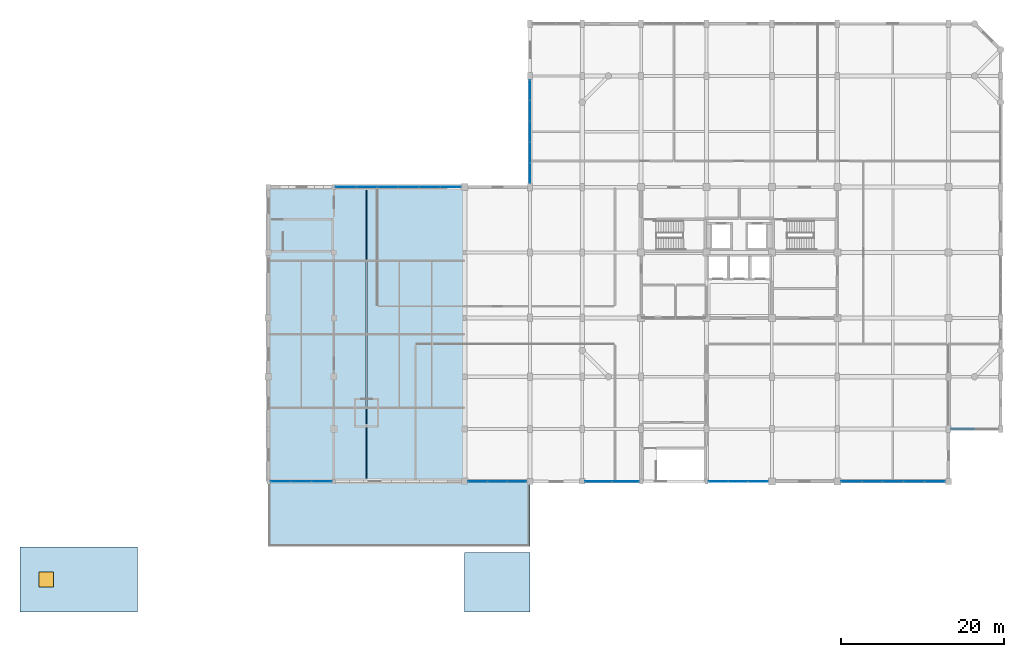
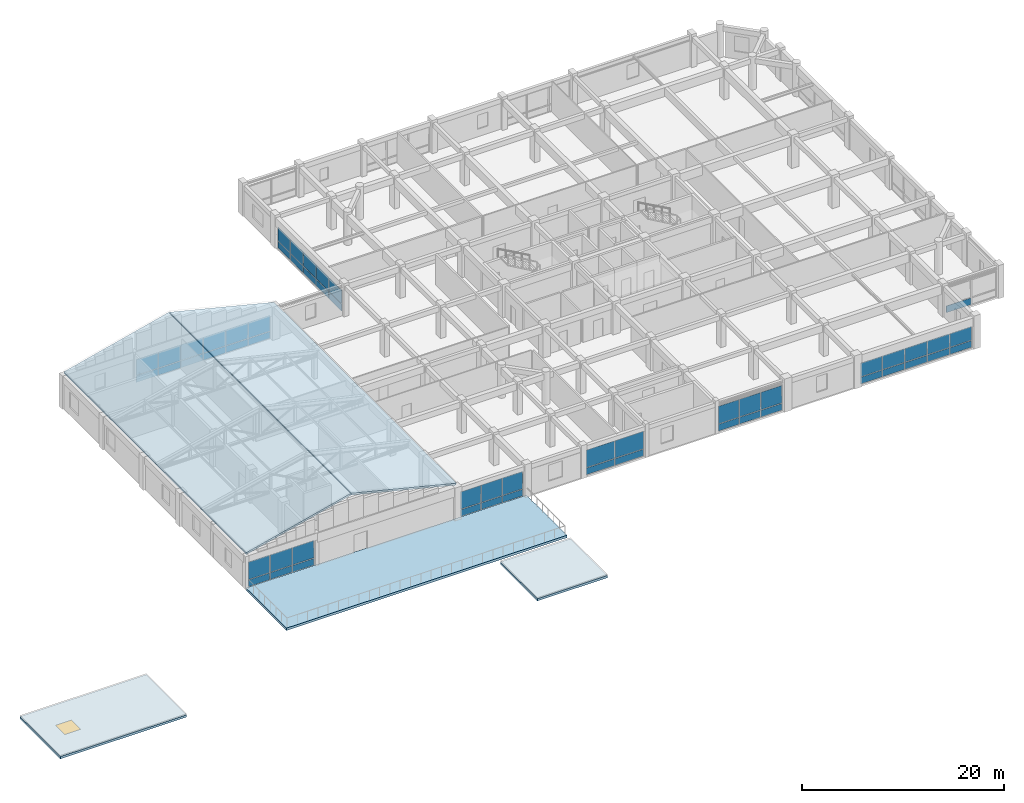
# One storey, part 16 of 27: 55 plates, 5 slabs, 1 window, 1 opening, 8 elements without a shape of their own.
"""IFC4 building model written with IfcOpenShell, lengths in metres."""

from ifc_helpers import new_model, si_unit, direction, frame, origin, origin_2d, place, context, subcontext, project, spatial, polyline, rectangle, outline, extrude, material, layer, layer_set, type_object, element, fill, aggregate, save


model = new_model("IFC4")

# Units and contexts
model_context = context("Model", 3, precision=1e-05, world=origin(), true_north=direction((0.0, 1.0)))
body_context = subcontext(model_context, "Body", "Model", "MODEL_VIEW")
ifc_project = project(units=[si_unit("LENGTHUNIT", "METRE"), si_unit("AREAUNIT", "SQUARE_METRE"), si_unit("VOLUMEUNIT", "CUBIC_METRE"), si_unit("PLANEANGLEUNIT", "RADIAN"), si_unit("MASSUNIT", "GRAM", prefix="KILO")], contexts=[model_context])

# Site, building, storey
site_placement = place(None, origin())
site = spatial("IfcSite", under=ifc_project, at=site_placement, CompositionType="ELEMENT")
building_placement = place(site_placement, origin())
building = spatial("IfcBuilding", under=site, at=building_placement, Name="Vellmiral Cinema and Media Centre", CompositionType="ELEMENT")
storey_placement = place(building_placement, frame((0.0, 0.0, 19.800048828125)))
storey = spatial("IfcBuildingStorey", under=building, at=storey_placement, Name="L04", CompositionType="ELEMENT", Elevation=19.800048828125)

# Curtain wall, plates
ifc_material_1 = material(Name="Thermally Broken Aluminium and Triple Glazing", Category="aluminium")
curtain_wall_type_1 = type_object("IfcCurtainWallType", Name="CW-TOWER-LOW-S", PredefinedType="USERDEFINED", material=ifc_material_1)
curtain_wall_1_placement = place(storey_placement, origin())
curtain_wall_1 = element("IfcCurtainWall", 1, at=curtain_wall_1_placement, inside=storey, type_object=curtain_wall_type_1, Name="Curtain Wall L04-B001", ObjectType="UNITISED CURTAIN WALL", PredefinedType="USERDEFINED")
ifc_material_2 = material(Name="Solar-Control Acoustic Triple Glazing", Category="glass")
ifc_layer_1 = layer(ifc_material_2, 0.0419921875, Name="Solar-Control Acoustic Triple Glazing")
ifc_layer_set_1 = layer_set([ifc_layer_1], Name="Solar-Control Acoustic Triple Glazing")
plate_type_1 = type_object("IfcPlateType", Name="CWP-SOLAR-42", PredefinedType="CURTAIN_PANEL", material=ifc_layer_set_1)
plate_1_placement = place(storey_placement, frame((79.8828125, 59.199951171875, 0.932373046875), z_axis=(0.0, 0.0, 1.0), x_axis=(1.0, 0.0, 0.0)))
plate_1 = element("IfcPlate", 2, at=plate_1_placement, type_object=plate_type_1, Name="CW-06 panel 1.2", PredefinedType="CURTAIN_PANEL", context=body_context, shape_type="SweptSolid", body=[
    extrude(rectangle(XDim=2.435791015625, YDim=0.0419921875, at=origin_2d()), origin(), (0.0, 0.0, 1.0), 2.1025390625),
])
plate_2_placement = place(storey_placement, frame((82.39990234375, 59.199951171875, 0.932373046875), z_axis=(0.0, 0.0, 1.0), x_axis=(1.0, 0.0, 0.0)))
plate_2 = element("IfcPlate", 3, at=plate_2_placement, type_object=plate_type_1, Name="CW-06 panel 2.2", PredefinedType="CURTAIN_PANEL", context=body_context, shape_type="SweptSolid", body=[
    extrude(rectangle(XDim=2.46826171875, YDim=0.0419921875, at=origin_2d()), origin(), (0.0, 0.0, 1.0), 2.1025390625),
])
plate_3_placement = place(storey_placement, frame((84.9169921875, 59.199951171875, 0.932373046875), z_axis=(0.0, 0.0, 1.0), x_axis=(1.0, 0.0, 0.0)))
plate_3 = element("IfcPlate", 4, at=plate_3_placement, type_object=plate_type_1, Name="CW-06 panel 3.2", PredefinedType="CURTAIN_PANEL", context=body_context, shape_type="SweptSolid", body=[
    extrude(rectangle(XDim=2.435791015625, YDim=0.0419921875, at=origin_2d()), origin(), (0.0, 0.0, 1.0), 2.1025390625),
])

curtain_wall_2_placement = place(storey_placement, origin())
curtain_wall_2 = element("IfcCurtainWall", 5, at=curtain_wall_2_placement, inside=storey, type_object=curtain_wall_type_1, Name="Curtain Wall L04-B003", ObjectType="UNITISED CURTAIN WALL", PredefinedType="USERDEFINED")
plate_4_placement = place(storey_placement, frame((104.0205078125, 59.199951171875, 0.9326171875), z_axis=(0.0, 0.0, 1.0), x_axis=(1.0, 0.0, 0.0)))
plate_4 = element("IfcPlate", 6, at=plate_4_placement, type_object=plate_type_1, Name="CW-06 panel 1.2", PredefinedType="CURTAIN_PANEL", context=body_context, shape_type="SweptSolid", body=[
    extrude(rectangle(XDim=2.310791015625, YDim=0.0419921875, at=origin_2d()), origin(), (0.0, 0.0, 1.0), 2.08740234375),
])
plate_5_placement = place(storey_placement, frame((106.41259765625, 59.199951171875, 0.9326171875), z_axis=(0.0, 0.0, 1.0), x_axis=(1.0, 0.0, 0.0)))
plate_5 = element("IfcPlate", 7, at=plate_5_placement, type_object=plate_type_1, Name="CW-06 panel 2.2", PredefinedType="CURTAIN_PANEL", context=body_context, shape_type="SweptSolid", body=[
    extrude(rectangle(XDim=2.34326171875, YDim=0.0419921875, at=origin_2d()), origin(), (0.0, 0.0, 1.0), 2.08740234375),
])
plate_6_placement = place(storey_placement, frame((108.8046875, 59.199951171875, 0.9326171875), z_axis=(0.0, 0.0, 1.0), x_axis=(1.0, 0.0, 0.0)))
plate_6 = element("IfcPlate", 8, at=plate_6_placement, type_object=plate_type_1, Name="CW-06 panel 3.2", PredefinedType="CURTAIN_PANEL", context=body_context, shape_type="SweptSolid", body=[
    extrude(rectangle(XDim=2.310791015625, YDim=0.0419921875, at=origin_2d()), origin(), (0.0, 0.0, 1.0), 2.08740234375),
])

curtain_wall_3_placement = place(storey_placement, origin())
curtain_wall_3 = element("IfcCurtainWall", 9, at=curtain_wall_3_placement, inside=storey, type_object=curtain_wall_type_1, Name="Curtain Wall L04-B005", ObjectType="UNITISED CURTAIN WALL", PredefinedType="USERDEFINED")
plate_7_placement = place(storey_placement, frame((118.81005859375, 59.199951171875, 0.932373046875), z_axis=(0.0, 0.0, 1.0), x_axis=(1.0, 0.0, 0.0)))
plate_7 = element("IfcPlate", 10, at=plate_7_placement, type_object=plate_type_1, Name="CW-06 panel 1.2", PredefinedType="CURTAIN_PANEL", context=body_context, shape_type="SweptSolid", body=[
    extrude(rectangle(XDim=3.239990234375, YDim=0.0419921875, at=origin_2d()), origin(), (0.0, 0.0, 1.0), 2.1025390625),
])
plate_8_placement = place(storey_placement, frame((122.114990234375, 59.199951171875, 0.932373046875), z_axis=(0.0, 0.0, 1.0), x_axis=(1.0, 0.0, 0.0)))
plate_8 = element("IfcPlate", 11, at=plate_8_placement, type_object=plate_type_1, Name="CW-06 panel 2.2", PredefinedType="CURTAIN_PANEL", context=body_context, shape_type="SweptSolid", body=[
    extrude(rectangle(XDim=3.239990234375, YDim=0.0419921875, at=origin_2d()), origin(), (0.0, 0.0, 1.0), 2.1025390625),
])

curtain_wall_4_placement = place(storey_placement, origin())
curtain_wall_4 = element("IfcCurtainWall", 12, at=curtain_wall_4_placement, inside=storey, type_object=curtain_wall_type_1, Name="Curtain Wall L04-B007", ObjectType="UNITISED CURTAIN WALL", PredefinedType="USERDEFINED")
plate_9_placement = place(storey_placement, frame((133.4453125, 59.199951171875, 0.932373046875), z_axis=(0.0, 0.0, 1.0), x_axis=(1.0, 0.0, 0.0)))
plate_9 = element("IfcPlate", 13, at=plate_9_placement, type_object=plate_type_1, Name="CW-06 panel 1.2", PredefinedType="CURTAIN_PANEL", context=body_context, shape_type="SweptSolid", body=[
    extrude(rectangle(XDim=2.36083984375, YDim=0.0419921875, at=origin_2d()), origin(), (0.0, 0.0, 1.0), 2.1025390625),
])
plate_10_placement = place(storey_placement, frame((135.887451171875, 59.199951171875, 0.932373046875), z_axis=(0.0, 0.0, 1.0), x_axis=(1.0, 0.0, 0.0)))
plate_10 = element("IfcPlate", 14, at=plate_10_placement, type_object=plate_type_1, Name="CW-06 panel 2.2", PredefinedType="CURTAIN_PANEL", context=body_context, shape_type="SweptSolid", body=[
    extrude(rectangle(XDim=2.393310546875, YDim=0.0419921875, at=origin_2d()), origin(), (0.0, 0.0, 1.0), 2.1025390625),
])
plate_11_placement = place(storey_placement, frame((138.32958984375, 59.199951171875, 0.932373046875), z_axis=(0.0, 0.0, 1.0), x_axis=(1.0, 0.0, 0.0)))
plate_11 = element("IfcPlate", 15, at=plate_11_placement, type_object=plate_type_1, Name="CW-06 panel 3.2", PredefinedType="CURTAIN_PANEL", context=body_context, shape_type="SweptSolid", body=[
    extrude(rectangle(XDim=2.36083984375, YDim=0.0419921875, at=origin_2d()), origin(), (0.0, 0.0, 1.0), 2.1025390625),
])

curtain_wall_5_placement = place(storey_placement, origin())
curtain_wall_5 = element("IfcCurtainWall", 16, at=curtain_wall_5_placement, inside=storey, type_object=curtain_wall_type_1, Name="Curtain Wall L04-B009", ObjectType="UNITISED CURTAIN WALL", PredefinedType="USERDEFINED")
plate_12_placement = place(storey_placement, frame((149.72119140625, 59.199951171875, 0.9326171875), z_axis=(0.0, 0.0, 1.0), x_axis=(1.0, 0.0, 0.0)))
plate_12 = element("IfcPlate", 17, at=plate_12_placement, type_object=plate_type_1, Name="CW-06 panel 1.2", PredefinedType="CURTAIN_PANEL", context=body_context, shape_type="SweptSolid", body=[
    extrude(rectangle(XDim=2.46240234375, YDim=0.0419921875, at=origin_2d()), origin(), (0.0, 0.0, 1.0), 1.637451171875),
])
plate_13_placement = place(storey_placement, frame((152.264892578125, 59.199951171875, 0.9326171875), z_axis=(0.0, 0.0, 1.0), x_axis=(1.0, 0.0, 0.0)))
plate_13 = element("IfcPlate", 18, at=plate_13_placement, type_object=plate_type_1, Name="CW-06 panel 2.2", PredefinedType="CURTAIN_PANEL", context=body_context, shape_type="SweptSolid", body=[
    extrude(rectangle(XDim=2.4951171875, YDim=0.0419921875, at=origin_2d()), origin(), (0.0, 0.0, 1.0), 1.637451171875),
])
plate_14_placement = place(storey_placement, frame((154.824951171875, 59.199951171875, 0.9326171875), z_axis=(0.0, 0.0, 1.0), x_axis=(1.0, 0.0, 0.0)))
plate_14 = element("IfcPlate", 19, at=plate_14_placement, type_object=plate_type_1, Name="CW-06 panel 3.2", PredefinedType="CURTAIN_PANEL", context=body_context, shape_type="SweptSolid", body=[
    extrude(rectangle(XDim=2.4951171875, YDim=0.0419921875, at=origin_2d()), origin(), (0.0, 0.0, 1.0), 1.637451171875),
])
plate_15_placement = place(storey_placement, frame((157.385009765625, 59.199951171875, 0.9326171875), z_axis=(0.0, 0.0, 1.0), x_axis=(1.0, 0.0, 0.0)))
plate_15 = element("IfcPlate", 20, at=plate_15_placement, type_object=plate_type_1, Name="CW-06 panel 4.2", PredefinedType="CURTAIN_PANEL", context=body_context, shape_type="SweptSolid", body=[
    extrude(rectangle(XDim=2.4951171875, YDim=0.0419921875, at=origin_2d()), origin(), (0.0, 0.0, 1.0), 1.637451171875),
])
plate_16_placement = place(storey_placement, frame((159.9287109375, 59.199951171875, 0.9326171875), z_axis=(0.0, 0.0, 1.0), x_axis=(1.0, 0.0, 0.0)))
plate_16 = element("IfcPlate", 21, at=plate_16_placement, type_object=plate_type_1, Name="CW-06 panel 5.2", PredefinedType="CURTAIN_PANEL", context=body_context, shape_type="SweptSolid", body=[
    extrude(rectangle(XDim=2.46240234375, YDim=0.0419921875, at=origin_2d()), origin(), (0.0, 0.0, 1.0), 1.637451171875),
])

curtain_wall_6_placement = place(storey_placement, origin())
curtain_wall_6 = element("IfcCurtainWall", 22, at=curtain_wall_6_placement, inside=storey, type_object=curtain_wall_type_1, Name="Curtain Wall L04-B031", ObjectType="UNITISED CURTAIN WALL", PredefinedType="USERDEFINED")
plate_17_placement = place(storey_placement, frame((100.677490234375, 95.199951171875, 0.932373046875), z_axis=(0.0, 0.0, 1.0), x_axis=(-1.0, 0.0, 0.0)))
plate_17 = element("IfcPlate", 23, at=plate_17_placement, type_object=plate_type_1, Name="CW-06 panel 1.2", PredefinedType="CURTAIN_PANEL", context=body_context, shape_type="SweptSolid", body=[
    extrude(rectangle(XDim=2.465087890625, YDim=0.0419921875, at=origin_2d()), origin(), (0.0, 0.0, 1.0), 1.892578125),
])
plate_18_placement = place(storey_placement, frame((98.13134765625, 95.199951171875, 0.932373046875), z_axis=(0.0, 0.0, 1.0), x_axis=(-1.0, 0.0, 0.0)))
plate_18 = element("IfcPlate", 24, at=plate_18_placement, type_object=plate_type_1, Name="CW-06 panel 2.2", PredefinedType="CURTAIN_PANEL", context=body_context, shape_type="SweptSolid", body=[
    extrude(rectangle(XDim=2.49755859375, YDim=0.0419921875, at=origin_2d()), origin(), (0.0, 0.0, 1.0), 1.892578125),
])
plate_19_placement = place(storey_placement, frame((95.56884765625, 95.199951171875, 0.932373046875), z_axis=(0.0, 0.0, 1.0), x_axis=(-1.0, 0.0, 0.0)))
plate_19 = element("IfcPlate", 25, at=plate_19_placement, type_object=plate_type_1, Name="CW-06 panel 3.2", PredefinedType="CURTAIN_PANEL", context=body_context, shape_type="SweptSolid", body=[
    extrude(rectangle(XDim=2.49755859375, YDim=0.0419921875, at=origin_2d()), origin(), (0.0, 0.0, 1.0), 1.892578125),
])
plate_20_placement = place(storey_placement, frame((93.00634765625, 95.199951171875, 0.932373046875), z_axis=(0.0, 0.0, 1.0), x_axis=(-1.0, 0.0, 0.0)))
plate_20 = element("IfcPlate", 26, at=plate_20_placement, type_object=plate_type_1, Name="CW-06 panel 4.2", PredefinedType="CURTAIN_PANEL", context=body_context, shape_type="SweptSolid", body=[
    extrude(rectangle(XDim=2.49755859375, YDim=0.0419921875, at=origin_2d()), origin(), (0.0, 0.0, 1.0), 1.892578125),
])
plate_21_placement = place(storey_placement, frame((90.44384765625, 95.199951171875, 0.932373046875), z_axis=(0.0, 0.0, 1.0), x_axis=(-1.0, 0.0, 0.0)))
plate_21 = element("IfcPlate", 27, at=plate_21_placement, type_object=plate_type_1, Name="CW-06 panel 5.2", PredefinedType="CURTAIN_PANEL", context=body_context, shape_type="SweptSolid", body=[
    extrude(rectangle(XDim=2.49755859375, YDim=0.0419921875, at=origin_2d()), origin(), (0.0, 0.0, 1.0), 1.892578125),
])
plate_22_placement = place(storey_placement, frame((87.8974609375, 95.199951171875, 0.932373046875), z_axis=(0.0, 0.0, 1.0), x_axis=(-1.0, 0.0, 0.0)))
plate_22 = element("IfcPlate", 28, at=plate_22_placement, type_object=plate_type_1, Name="CW-06 panel 6.2", PredefinedType="CURTAIN_PANEL", context=body_context, shape_type="SweptSolid", body=[
    extrude(rectangle(XDim=2.465087890625, YDim=0.0419921875, at=origin_2d()), origin(), (0.0, 0.0, 1.0), 1.892578125),
])

# Plate
ifc_material_3 = material(Name="Polychrome Trencadis Ceramic Spandrel Panel", Category="ceramic")
ifc_layer_2 = layer(ifc_material_3, 0.052001953125, Name="Polychrome Trencadis Ceramic Spandrel Panel")
ifc_layer_set_2 = layer_set([ifc_layer_2], Name="Polychrome Trencadis Ceramic Spandrel Panel")
plate_type_2 = type_object("IfcPlateType", Name="CWP-TRENC-52", PredefinedType="CURTAIN_PANEL", material=ifc_layer_set_2)
plate_23_placement = place(storey_placement, frame((79.8828125, 59.199951171875, 0.06494140625), z_axis=(0.0, 0.0, 1.0), x_axis=(1.0, 0.0, 0.0)))
plate_23 = element("IfcPlate", 29, at=plate_23_placement, type_object=plate_type_2, Name="CW-06 panel 1.1", PredefinedType="CURTAIN_PANEL", context=body_context, shape_type="SweptSolid", body=[
    extrude(rectangle(XDim=2.435791015625, YDim=0.052001953125, at=origin_2d()), origin(), (0.0, 0.0, 1.0), 0.802490234375),
])

plate_24_placement = place(storey_placement, frame((82.39990234375, 59.199951171875, 0.06494140625), z_axis=(0.0, 0.0, 1.0), x_axis=(1.0, 0.0, 0.0)))
plate_24 = element("IfcPlate", 30, at=plate_24_placement, type_object=plate_type_2, Name="CW-06 panel 2.1", PredefinedType="CURTAIN_PANEL", context=body_context, shape_type="SweptSolid", body=[
    extrude(rectangle(XDim=2.46826171875, YDim=0.052001953125, at=origin_2d()), origin(), (0.0, 0.0, 1.0), 0.802490234375),
])

plate_25_placement = place(storey_placement, frame((84.9169921875, 59.199951171875, 0.06494140625), z_axis=(0.0, 0.0, 1.0), x_axis=(1.0, 0.0, 0.0)))
plate_25 = element("IfcPlate", 31, at=plate_25_placement, type_object=plate_type_2, Name="CW-06 panel 3.1", PredefinedType="CURTAIN_PANEL", context=body_context, shape_type="SweptSolid", body=[
    extrude(rectangle(XDim=2.435791015625, YDim=0.052001953125, at=origin_2d()), origin(), (0.0, 0.0, 1.0), 0.802490234375),
])

aggregate(curtain_wall_1, [plate_23, plate_1, plate_24, plate_2, plate_25, plate_3])

plate_26_placement = place(storey_placement, frame((104.0205078125, 59.199951171875, 0.06494140625), z_axis=(0.0, 0.0, 1.0), x_axis=(1.0, 0.0, 0.0)))
plate_26 = element("IfcPlate", 32, at=plate_26_placement, type_object=plate_type_2, Name="CW-06 panel 1.1", PredefinedType="CURTAIN_PANEL", context=body_context, shape_type="SweptSolid", body=[
    extrude(rectangle(XDim=2.310791015625, YDim=0.052001953125, at=origin_2d()), origin(), (0.0, 0.0, 1.0), 0.802490234375),
])

plate_27_placement = place(storey_placement, frame((106.41259765625, 59.199951171875, 0.06494140625), z_axis=(0.0, 0.0, 1.0), x_axis=(1.0, 0.0, 0.0)))
plate_27 = element("IfcPlate", 33, at=plate_27_placement, type_object=plate_type_2, Name="CW-06 panel 2.1", PredefinedType="CURTAIN_PANEL", context=body_context, shape_type="SweptSolid", body=[
    extrude(rectangle(XDim=2.34326171875, YDim=0.052001953125, at=origin_2d()), origin(), (0.0, 0.0, 1.0), 0.802490234375),
])

plate_28_placement = place(storey_placement, frame((108.8046875, 59.199951171875, 0.06494140625), z_axis=(0.0, 0.0, 1.0), x_axis=(1.0, 0.0, 0.0)))
plate_28 = element("IfcPlate", 34, at=plate_28_placement, type_object=plate_type_2, Name="CW-06 panel 3.1", PredefinedType="CURTAIN_PANEL", context=body_context, shape_type="SweptSolid", body=[
    extrude(rectangle(XDim=2.310791015625, YDim=0.052001953125, at=origin_2d()), origin(), (0.0, 0.0, 1.0), 0.802490234375),
])

aggregate(curtain_wall_2, [plate_26, plate_4, plate_27, plate_5, plate_28, plate_6])

plate_29_placement = place(storey_placement, frame((118.81005859375, 59.199951171875, 0.06494140625), z_axis=(0.0, 0.0, 1.0), x_axis=(1.0, 0.0, 0.0)))
plate_29 = element("IfcPlate", 35, at=plate_29_placement, type_object=plate_type_2, Name="CW-06 panel 1.1", PredefinedType="CURTAIN_PANEL", context=body_context, shape_type="SweptSolid", body=[
    extrude(rectangle(XDim=3.239990234375, YDim=0.052001953125, at=origin_2d()), origin(), (0.0, 0.0, 1.0), 0.802490234375),
])

plate_30_placement = place(storey_placement, frame((122.114990234375, 59.199951171875, 0.06494140625), z_axis=(0.0, 0.0, 1.0), x_axis=(1.0, 0.0, 0.0)))
plate_30 = element("IfcPlate", 36, at=plate_30_placement, type_object=plate_type_2, Name="CW-06 panel 2.1", PredefinedType="CURTAIN_PANEL", context=body_context, shape_type="SweptSolid", body=[
    extrude(rectangle(XDim=3.239990234375, YDim=0.052001953125, at=origin_2d()), origin(), (0.0, 0.0, 1.0), 0.802490234375),
])

aggregate(curtain_wall_3, [plate_29, plate_7, plate_30, plate_8])

plate_31_placement = place(storey_placement, frame((133.4453125, 59.199951171875, 0.06494140625), z_axis=(0.0, 0.0, 1.0), x_axis=(1.0, 0.0, 0.0)))
plate_31 = element("IfcPlate", 37, at=plate_31_placement, type_object=plate_type_2, Name="CW-06 panel 1.1", PredefinedType="CURTAIN_PANEL", context=body_context, shape_type="SweptSolid", body=[
    extrude(rectangle(XDim=2.36083984375, YDim=0.052001953125, at=origin_2d()), origin(), (0.0, 0.0, 1.0), 0.802490234375),
])

plate_32_placement = place(storey_placement, frame((135.887451171875, 59.199951171875, 0.06494140625), z_axis=(0.0, 0.0, 1.0), x_axis=(1.0, 0.0, 0.0)))
plate_32 = element("IfcPlate", 38, at=plate_32_placement, type_object=plate_type_2, Name="CW-06 panel 2.1", PredefinedType="CURTAIN_PANEL", context=body_context, shape_type="SweptSolid", body=[
    extrude(rectangle(XDim=2.393310546875, YDim=0.052001953125, at=origin_2d()), origin(), (0.0, 0.0, 1.0), 0.802490234375),
])

plate_33_placement = place(storey_placement, frame((138.32958984375, 59.199951171875, 0.06494140625), z_axis=(0.0, 0.0, 1.0), x_axis=(1.0, 0.0, 0.0)))
plate_33 = element("IfcPlate", 39, at=plate_33_placement, type_object=plate_type_2, Name="CW-06 panel 3.1", PredefinedType="CURTAIN_PANEL", context=body_context, shape_type="SweptSolid", body=[
    extrude(rectangle(XDim=2.36083984375, YDim=0.052001953125, at=origin_2d()), origin(), (0.0, 0.0, 1.0), 0.802490234375),
])

aggregate(curtain_wall_4, [plate_31, plate_9, plate_32, plate_10, plate_33, plate_11])

plate_34_placement = place(storey_placement, frame((149.72119140625, 59.199951171875, 0.06494140625), z_axis=(0.0, 0.0, 1.0), x_axis=(1.0, 0.0, 0.0)))
plate_34 = element("IfcPlate", 40, at=plate_34_placement, type_object=plate_type_2, Name="CW-06 panel 1.1", PredefinedType="CURTAIN_PANEL", context=body_context, shape_type="SweptSolid", body=[
    extrude(rectangle(XDim=2.46240234375, YDim=0.052001953125, at=origin_2d()), origin(), (0.0, 0.0, 1.0), 0.802490234375),
])

plate_35_placement = place(storey_placement, frame((152.264892578125, 59.199951171875, 0.06494140625), z_axis=(0.0, 0.0, 1.0), x_axis=(1.0, 0.0, 0.0)))
plate_35 = element("IfcPlate", 41, at=plate_35_placement, type_object=plate_type_2, Name="CW-06 panel 2.1", PredefinedType="CURTAIN_PANEL", context=body_context, shape_type="SweptSolid", body=[
    extrude(rectangle(XDim=2.4951171875, YDim=0.052001953125, at=origin_2d()), origin(), (0.0, 0.0, 1.0), 0.802490234375),
])

plate_36_placement = place(storey_placement, frame((154.824951171875, 59.199951171875, 0.06494140625), z_axis=(0.0, 0.0, 1.0), x_axis=(1.0, 0.0, 0.0)))
plate_36 = element("IfcPlate", 42, at=plate_36_placement, type_object=plate_type_2, Name="CW-06 panel 3.1", PredefinedType="CURTAIN_PANEL", context=body_context, shape_type="SweptSolid", body=[
    extrude(rectangle(XDim=2.4951171875, YDim=0.052001953125, at=origin_2d()), origin(), (0.0, 0.0, 1.0), 0.802490234375),
])

plate_37_placement = place(storey_placement, frame((157.385009765625, 59.199951171875, 0.06494140625), z_axis=(0.0, 0.0, 1.0), x_axis=(1.0, 0.0, 0.0)))
plate_37 = element("IfcPlate", 43, at=plate_37_placement, type_object=plate_type_2, Name="CW-06 panel 4.1", PredefinedType="CURTAIN_PANEL", context=body_context, shape_type="SweptSolid", body=[
    extrude(rectangle(XDim=2.4951171875, YDim=0.052001953125, at=origin_2d()), origin(), (0.0, 0.0, 1.0), 0.802490234375),
])

plate_38_placement = place(storey_placement, frame((159.9287109375, 59.199951171875, 0.06494140625), z_axis=(0.0, 0.0, 1.0), x_axis=(1.0, 0.0, 0.0)))
plate_38 = element("IfcPlate", 44, at=plate_38_placement, type_object=plate_type_2, Name="CW-06 panel 5.1", PredefinedType="CURTAIN_PANEL", context=body_context, shape_type="SweptSolid", body=[
    extrude(rectangle(XDim=2.46240234375, YDim=0.052001953125, at=origin_2d()), origin(), (0.0, 0.0, 1.0), 0.802490234375),
])

aggregate(curtain_wall_5, [plate_34, plate_12, plate_35, plate_13, plate_36, plate_14, plate_37, plate_15, plate_38, plate_16])

# Curtain wall, plate
curtain_wall_7_placement = place(storey_placement, origin())
curtain_wall_7 = element("IfcCurtainWall", 45, at=curtain_wall_7_placement, inside=storey, type_object=curtain_wall_type_1, Name="Curtain Wall L04-B011", ObjectType="UNITISED CURTAIN WALL", PredefinedType="USERDEFINED")
plate_39_placement = place(storey_placement, frame((163.3662109375, 65.60009765625, 0.06494140625), z_axis=(0.0, 0.0, 1.0), x_axis=(1.0, 0.0, 0.0)))
plate_39 = element("IfcPlate", 46, at=plate_39_placement, type_object=plate_type_2, Name="CW-06 panel 1.1", PredefinedType="CURTAIN_PANEL", context=body_context, shape_type="SweptSolid", body=[
    extrude(rectangle(XDim=2.802490234375, YDim=0.052001953125, at=origin_2d()), origin(), (0.0, 0.0, 1.0), 0.802490234375),
])
aggregate(curtain_wall_7, [plate_39])

# Curtain wall, plates
ifc_material_4 = material(Name="Thermally Broken Aluminium and Triple Glazing", Category="aluminium")
curtain_wall_type_2 = type_object("IfcCurtainWallType", Name="CW-TOWER-LOW-N", PredefinedType="USERDEFINED", material=ifc_material_4)
curtain_wall_8_placement = place(storey_placement, origin())
curtain_wall_8 = element("IfcCurtainWall", 47, at=curtain_wall_8_placement, inside=storey, type_object=curtain_wall_type_2, Name="Curtain Wall L04-B029", ObjectType="UNITISED CURTAIN WALL", PredefinedType="USERDEFINED")
plate_40_placement = place(storey_placement, frame((110.39990234375, 107.063720703125, 0.06494140625), z_axis=(0.0, 0.0, 1.0), x_axis=(0.0, -1.0, 0.0)))
plate_40 = element("IfcPlate", 48, at=plate_40_placement, type_object=plate_type_2, Name="CW-05 panel 1.1", PredefinedType="CURTAIN_PANEL", context=body_context, shape_type="SweptSolid", body=[
    extrude(rectangle(XDim=2.4423828125, YDim=0.052001953125, at=origin_2d()), origin(), (0.0, 0.0, 1.0), 0.802490234375),
])
plate_41_placement = place(storey_placement, frame((110.39990234375, 104.5400390625, 0.06494140625), z_axis=(0.0, 0.0, 1.0), x_axis=(0.0, -1.0, 0.0)))
plate_41 = element("IfcPlate", 49, at=plate_41_placement, type_object=plate_type_2, Name="CW-05 panel 2.1", PredefinedType="CURTAIN_PANEL", context=body_context, shape_type="SweptSolid", body=[
    extrude(rectangle(XDim=2.47509765625, YDim=0.052001953125, at=origin_2d()), origin(), (0.0, 0.0, 1.0), 0.802490234375),
])
plate_42_placement = place(storey_placement, frame((110.39990234375, 102.0, 0.06494140625), z_axis=(0.0, 0.0, 1.0), x_axis=(0.0, -1.0, 0.0)))
plate_42 = element("IfcPlate", 50, at=plate_42_placement, type_object=plate_type_2, Name="CW-05 panel 3.1", PredefinedType="CURTAIN_PANEL", context=body_context, shape_type="SweptSolid", body=[
    extrude(rectangle(XDim=2.47509765625, YDim=0.052001953125, at=origin_2d()), origin(), (0.0, 0.0, 1.0), 0.802490234375),
])
plate_43_placement = place(storey_placement, frame((110.39990234375, 99.4599609375, 0.06494140625), z_axis=(0.0, 0.0, 1.0), x_axis=(0.0, -1.0, 0.0)))
plate_43 = element("IfcPlate", 51, at=plate_43_placement, type_object=plate_type_2, Name="CW-05 panel 4.1", PredefinedType="CURTAIN_PANEL", context=body_context, shape_type="SweptSolid", body=[
    extrude(rectangle(XDim=2.47509765625, YDim=0.052001953125, at=origin_2d()), origin(), (0.0, 0.0, 1.0), 0.802490234375),
])
plate_44_placement = place(storey_placement, frame((110.39990234375, 96.936279296875, 0.06494140625), z_axis=(0.0, 0.0, 1.0), x_axis=(0.0, -1.0, 0.0)))
plate_44 = element("IfcPlate", 52, at=plate_44_placement, type_object=plate_type_2, Name="CW-05 panel 5.1", PredefinedType="CURTAIN_PANEL", context=body_context, shape_type="SweptSolid", body=[
    extrude(rectangle(XDim=2.4423828125, YDim=0.052001953125, at=origin_2d()), origin(), (0.0, 0.0, 1.0), 0.802490234375),
])

# Plate
plate_45_placement = place(storey_placement, frame((100.677490234375, 95.199951171875, 0.06494140625), z_axis=(0.0, 0.0, 1.0), x_axis=(-1.0, 0.0, 0.0)))
plate_45 = element("IfcPlate", 53, at=plate_45_placement, type_object=plate_type_2, Name="CW-06 panel 1.1", PredefinedType="CURTAIN_PANEL", context=body_context, shape_type="SweptSolid", body=[
    extrude(rectangle(XDim=2.465087890625, YDim=0.052001953125, at=origin_2d()), origin(), (0.0, 0.0, 1.0), 0.802490234375),
])

plate_46_placement = place(storey_placement, frame((98.13134765625, 95.199951171875, 0.06494140625), z_axis=(0.0, 0.0, 1.0), x_axis=(-1.0, 0.0, 0.0)))
plate_46 = element("IfcPlate", 54, at=plate_46_placement, type_object=plate_type_2, Name="CW-06 panel 2.1", PredefinedType="CURTAIN_PANEL", context=body_context, shape_type="SweptSolid", body=[
    extrude(rectangle(XDim=2.49755859375, YDim=0.052001953125, at=origin_2d()), origin(), (0.0, 0.0, 1.0), 0.802490234375),
])

plate_47_placement = place(storey_placement, frame((95.56884765625, 95.199951171875, 0.06494140625), z_axis=(0.0, 0.0, 1.0), x_axis=(-1.0, 0.0, 0.0)))
plate_47 = element("IfcPlate", 55, at=plate_47_placement, type_object=plate_type_2, Name="CW-06 panel 3.1", PredefinedType="CURTAIN_PANEL", context=body_context, shape_type="SweptSolid", body=[
    extrude(rectangle(XDim=2.49755859375, YDim=0.052001953125, at=origin_2d()), origin(), (0.0, 0.0, 1.0), 0.802490234375),
])

plate_48_placement = place(storey_placement, frame((93.00634765625, 95.199951171875, 0.06494140625), z_axis=(0.0, 0.0, 1.0), x_axis=(-1.0, 0.0, 0.0)))
plate_48 = element("IfcPlate", 56, at=plate_48_placement, type_object=plate_type_2, Name="CW-06 panel 4.1", PredefinedType="CURTAIN_PANEL", context=body_context, shape_type="SweptSolid", body=[
    extrude(rectangle(XDim=2.49755859375, YDim=0.052001953125, at=origin_2d()), origin(), (0.0, 0.0, 1.0), 0.802490234375),
])

plate_49_placement = place(storey_placement, frame((90.44384765625, 95.199951171875, 0.06494140625), z_axis=(0.0, 0.0, 1.0), x_axis=(-1.0, 0.0, 0.0)))
plate_49 = element("IfcPlate", 57, at=plate_49_placement, type_object=plate_type_2, Name="CW-06 panel 5.1", PredefinedType="CURTAIN_PANEL", context=body_context, shape_type="SweptSolid", body=[
    extrude(rectangle(XDim=2.49755859375, YDim=0.052001953125, at=origin_2d()), origin(), (0.0, 0.0, 1.0), 0.802490234375),
])

plate_50_placement = place(storey_placement, frame((87.8974609375, 95.199951171875, 0.06494140625), z_axis=(0.0, 0.0, 1.0), x_axis=(-1.0, 0.0, 0.0)))
plate_50 = element("IfcPlate", 58, at=plate_50_placement, type_object=plate_type_2, Name="CW-06 panel 6.1", PredefinedType="CURTAIN_PANEL", context=body_context, shape_type="SweptSolid", body=[
    extrude(rectangle(XDim=2.465087890625, YDim=0.052001953125, at=origin_2d()), origin(), (0.0, 0.0, 1.0), 0.802490234375),
])

aggregate(curtain_wall_6, [plate_45, plate_17, plate_46, plate_18, plate_47, plate_19, plate_48, plate_20, plate_49, plate_21, plate_50, plate_22])

ifc_material_5 = material(Name="Triple Low-E Vision Glazing", Category="glass")
ifc_layer_3 = layer(ifc_material_5, 0.0380859375, Name="Triple Low-E Vision Glazing")
ifc_layer_set_3 = layer_set([ifc_layer_3], Name="Triple Low-E Vision Glazing")
plate_type_3 = type_object("IfcPlateType", Name="CWP-VISION-38", PredefinedType="CURTAIN_PANEL", material=ifc_layer_set_3)
plate_51_placement = place(storey_placement, frame((110.39990234375, 107.063720703125, 0.9326171875), z_axis=(0.0, 0.0, 1.0), x_axis=(0.0, -1.0, 0.0)))
plate_51 = element("IfcPlate", 59, at=plate_51_placement, type_object=plate_type_3, Name="CW-05 panel 1.2", PredefinedType="CURTAIN_PANEL", context=body_context, shape_type="SweptSolid", body=[
    extrude(rectangle(XDim=2.4423828125, YDim=0.0380859375, at=origin_2d()), origin(), (0.0, 0.0, 1.0), 1.637451171875),
])

plate_52_placement = place(storey_placement, frame((110.39990234375, 104.5400390625, 0.9326171875), z_axis=(0.0, 0.0, 1.0), x_axis=(0.0, -1.0, 0.0)))
plate_52 = element("IfcPlate", 60, at=plate_52_placement, type_object=plate_type_3, Name="CW-05 panel 2.2", PredefinedType="CURTAIN_PANEL", context=body_context, shape_type="SweptSolid", body=[
    extrude(rectangle(XDim=2.47509765625, YDim=0.0380859375, at=origin_2d()), origin(), (0.0, 0.0, 1.0), 1.637451171875),
])

plate_53_placement = place(storey_placement, frame((110.39990234375, 102.0, 0.9326171875), z_axis=(0.0, 0.0, 1.0), x_axis=(0.0, -1.0, 0.0)))
plate_53 = element("IfcPlate", 61, at=plate_53_placement, type_object=plate_type_3, Name="CW-05 panel 3.2", PredefinedType="CURTAIN_PANEL", context=body_context, shape_type="SweptSolid", body=[
    extrude(rectangle(XDim=2.47509765625, YDim=0.0380859375, at=origin_2d()), origin(), (0.0, 0.0, 1.0), 1.637451171875),
])

plate_54_placement = place(storey_placement, frame((110.39990234375, 99.4599609375, 0.9326171875), z_axis=(0.0, 0.0, 1.0), x_axis=(0.0, -1.0, 0.0)))
plate_54 = element("IfcPlate", 62, at=plate_54_placement, type_object=plate_type_3, Name="CW-05 panel 4.2", PredefinedType="CURTAIN_PANEL", context=body_context, shape_type="SweptSolid", body=[
    extrude(rectangle(XDim=2.47509765625, YDim=0.0380859375, at=origin_2d()), origin(), (0.0, 0.0, 1.0), 1.637451171875),
])

plate_55_placement = place(storey_placement, frame((110.39990234375, 96.936279296875, 0.9326171875), z_axis=(0.0, 0.0, 1.0), x_axis=(0.0, -1.0, 0.0)))
plate_55 = element("IfcPlate", 63, at=plate_55_placement, type_object=plate_type_3, Name="CW-05 panel 5.2", PredefinedType="CURTAIN_PANEL", context=body_context, shape_type="SweptSolid", body=[
    extrude(rectangle(XDim=2.4423828125, YDim=0.0380859375, at=origin_2d()), origin(), (0.0, 0.0, 1.0), 1.637451171875),
])

aggregate(curtain_wall_8, [plate_40, plate_51, plate_41, plate_52, plate_42, plate_53, plate_43, plate_54, plate_44, plate_55])

# Slabs
ifc_material_6 = material(Name="Concrete C40/50", Category="concrete")
ifc_layer_4 = layer(ifc_material_6, 0.219970703125, Name="Concrete C40/50")
ifc_layer_set_4 = layer_set([ifc_layer_4], Name="Concrete C40/50")
slab_type_1 = type_object("IfcSlabType", Name="SLB-ROOF-220", PredefinedType="ROOF", material=ifc_layer_set_4)
slab_1_placement = place(storey_placement, frame((78.39990234375, 59.199951171875, 4.2265625), z_axis=(-0.241929649535, 0.0, 0.97029379297), x_axis=(0.97029379297, 0.0, 0.241929649535)))
element("IfcSlab", 64, at=slab_1_placement, inside=storey, type_object=slab_type_1, Name="Stepped Broadcast Bridge Barrel Vault Structural Roof Slab A", PredefinedType="ROOF", context=body_context, shape_type="SweptSolid", body=[
    extrude(outline(polyline([(0.0, 0.0), (12.324613617436892, 0.0), (12.324613617436892, 36.0), (0.0, 36.0), (0.0, 0.0)])), origin(), (0.0, 0.0, -1.0), 0.219970703125),
])
slab_2_placement = place(storey_placement, frame((90.441650390625, 59.199951171875, 7.208251953125), z_axis=(0.241934299688, 0.0, 0.970292633505), x_axis=(0.970292633505, 0.0, -0.241934299688)))
element("IfcSlab", 65, at=slab_2_placement, inside=storey, type_object=slab_type_1, Name="Stepped Broadcast Bridge Barrel Vault Structural Roof Slab B", PredefinedType="ROOF", context=body_context, shape_type="SweptSolid", body=[
    extrude(outline(polyline([(0.0, 0.0), (12.324376729445378, 0.0), (12.324376729445378, 36.0), (0.0, 36.0), (0.0, 0.0)])), origin(), (0.0, 0.0, -1.0), 0.219970703125),
])

# Slab, opening, window
ifc_material_7 = material(Name="Concrete C40/50", Category="concrete")
ifc_layer_5 = layer(ifc_material_7, 0.27001953125, Name="Concrete C40/50")
ifc_layer_set_5 = layer_set([ifc_layer_5], Name="Concrete C40/50")
slab_type_2 = type_object("IfcSlabType", Name="SLB-ROOF-270", PredefinedType="ROOF", material=ifc_layer_set_5)
slab_3_placement = place(storey_placement, frame((0.0, 0.0, -0.27001953125)))
slab_3 = element("IfcSlab", 66, at=slab_3_placement, inside=storey, type_object=slab_type_2, Name="Setback Maintenance Roof Slab SB04-STP3", PredefinedType="ROOF", context=body_context, shape_type="SweptSolid", body=[
    extrude(outline(polyline([(48.0, 43.199951171875), (62.39990234375, 43.199951171875), (62.39990234375, 51.179931640625), (48.0, 51.179931640625), (48.0, 43.199951171875)])), origin(), (0.0, 0.0, 1.0), 0.27001953125),
])
opening_placement = place(slab_3_placement, frame((51.199951171875, 47.199951171875, -0.011962890625)))
opening = element("IfcOpeningElement", 67, at=opening_placement, cuts=slab_3, Name="Opening SK-04", PredefinedType="OPENING", context=body_context, shape_type="SweptSolid", body=[
    extrude(rectangle(XDim=1.800048828125, YDim=1.800048828125, at=origin_2d()), origin(), (0.0, 0.0, 1.0), 0.2939453125),
])
ifc_material_8 = material(Name="Triple Insulating Stained-Glass Skylight", Category="glass")
window_type = type_object("IfcWindowType", Name="SKY-1800x1800", PartitioningType="SINGLE_PANEL", PredefinedType="SKYLIGHT", material=ifc_material_8)
window_placement = place(opening_placement, frame((0.0, 0.0, 0.23193359375)))
window = element("IfcWindow", 68, at=window_placement, inside=storey, type_object=window_type, Name="Stained-Glass Roof Skylight 01", OverallHeight=1.800048828125, OverallWidth=1.800048828125, PartitioningType="SINGLE_PANEL", PredefinedType="SKYLIGHT", context=body_context, shape_type="SweptSolid", body=[
    extrude(rectangle(XDim=1.800048828125, YDim=1.800048828125, at=origin_2d()), origin(), (0.0, 0.0, 1.0), 0.050048828125),
])
fill(opening, window)

# Slabs
slab_4_placement = place(storey_placement, frame((0.0, 0.0, -0.27001953125)))
element("IfcSlab", 69, at=slab_4_placement, inside=storey, type_object=slab_type_2, Name="Setback Maintenance Roof Slab SB04-STP4", PredefinedType="ROOF", context=body_context, shape_type="SweptSolid", body=[
    extrude(outline(polyline([(102.39990234375, 43.199951171875), (110.39990234375, 43.199951171875), (110.39990234375, 50.5), (102.39990234375, 50.5), (102.39990234375, 43.199951171875)])), origin(), (0.0, 0.0, 1.0), 0.27001953125),
])
ifc_material_9 = material(Name="Concrete C40/50", Category="concrete")
ifc_layer_6 = layer(ifc_material_9, 0.2900390625, Name="Concrete C40/50")
ifc_layer_set_6 = layer_set([ifc_layer_6], Name="Concrete C40/50")
slab_type_3 = type_object("IfcSlabType", Name="SLB-TERR-290", PredefinedType="FLOOR", material=ifc_layer_set_6)
slab_5_placement = place(storey_placement, frame((0.0, 0.0, -0.2900390625)))
element("IfcSlab", 70, at=slab_5_placement, inside=storey, type_object=slab_type_3, Name="Media Bridge Courtyard Terrace", PredefinedType="FLOOR", context=body_context, shape_type="SweptSolid", body=[
    extrude(outline(polyline([(78.39990234375, 51.199951171875), (110.39990234375, 51.199951171875), (110.39990234375, 59.199951171875), (78.39990234375, 59.199951171875), (78.39990234375, 51.199951171875)])), origin(), (0.0, 0.0, 1.0), 0.2900390625),
])

save(model, "model.ifc")
